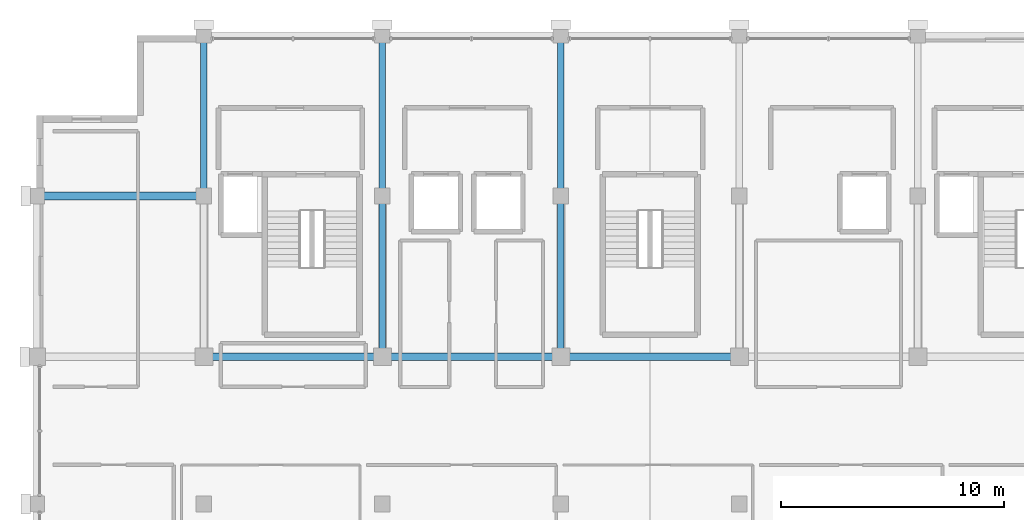
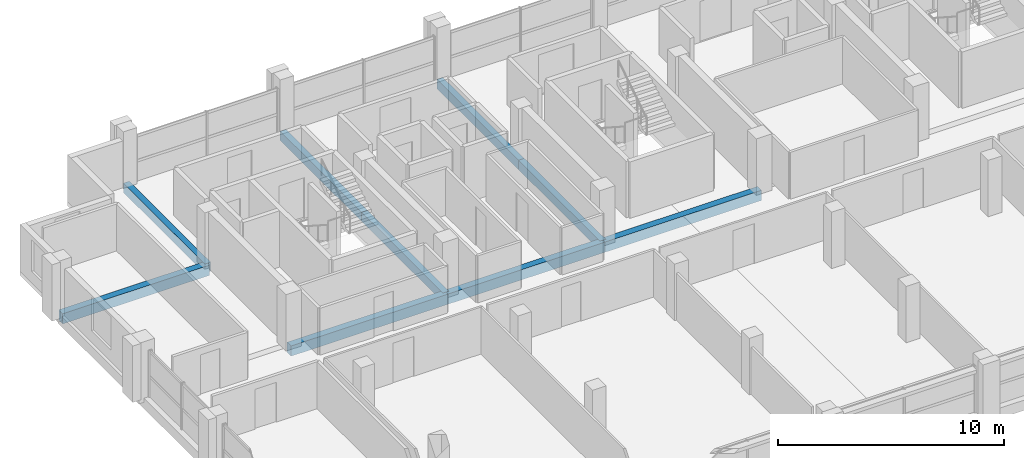
# One storey, part 8 of 24: 9 beams.
"""IFC4 building model written with IfcOpenShell, lengths in metres."""

from ifc_helpers import new_model, si_unit, direction, frame, origin, origin_2d, place, context, subcontext, project, spatial, rectangle, extrude, material, material_profile, profile_set, type_object, element, save


model = new_model("IFC4")

# Units and contexts
model_context = context("Model", 3, precision=1e-05, world=origin(), true_north=direction((0.0, 1.0)))
body_context = subcontext(model_context, "Body", "Model", "MODEL_VIEW")
ifc_project = project(units=[si_unit("LENGTHUNIT", "METRE"), si_unit("AREAUNIT", "SQUARE_METRE"), si_unit("VOLUMEUNIT", "CUBIC_METRE"), si_unit("PLANEANGLEUNIT", "RADIAN"), si_unit("MASSUNIT", "GRAM", prefix="KILO")], contexts=[model_context])

# Site, building, storey
site_placement = place(None, origin())
site = spatial("IfcSite", under=ifc_project, at=site_placement, CompositionType="ELEMENT")
building_placement = place(site_placement, origin())
building = spatial("IfcBuilding", under=site, at=building_placement, Name="Akrevak Sports Hall", CompositionType="ELEMENT")
storey_placement = place(building_placement, frame((0.0, 0.0, 56.800048828125)))
storey = spatial("IfcBuildingStorey", under=building, at=storey_placement, Name="L14", CompositionType="ELEMENT", Elevation=56.800048828125)

# Beams
ifc_material = material(Name="Concrete C40/50", Category="concrete")
ifc_material_profile_1 = material_profile(ifc_material, rectangle(XDim=0.300048828125, YDim=0.5, at=origin_2d()), Name="BM 300x500", Category="concrete")
ifc_profile_set_1 = profile_set([ifc_material_profile_1], Name="Concrete C40/50")
beam_type_1 = type_object("IfcBeamType", Name="STR-BM-RC300x500", PredefinedType="BEAM", material=ifc_profile_set_1)
beam_1_placement = place(storey_placement, frame((60.0, 62.39990234375, -0.25), z_axis=(0.0, 1.0, 0.0), x_axis=(-1.0, 0.0, 0.0)))
element("IfcBeam", 1, at=beam_1_placement, inside=storey, type_object=beam_type_1, Name="Girder 9/J-K (L14)", PredefinedType="BEAM", context=body_context, shape_type="SweptSolid", body=[
    extrude(rectangle(XDim=0.300048828125, YDim=0.5, at=origin_2d()), origin(), (0.0, 0.0, 1.0), 7.2001953125),
])
beam_2_placement = place(storey_placement, frame((68.0, 55.199951171875, -0.25), z_axis=(0.0, 1.0, 0.0), x_axis=(-1.0, 0.0, 0.0)))
element("IfcBeam", 2, at=beam_2_placement, inside=storey, type_object=beam_type_1, Name="Girder 10/I-J (L14)", PredefinedType="BEAM", context=body_context, shape_type="SweptSolid", body=[
    extrude(rectangle(XDim=0.300048828125, YDim=0.5, at=origin_2d()), origin(), (0.0, 0.0, 1.0), 7.199951171875),
])
beam_3_placement = place(storey_placement, frame((68.0, 62.39990234375, -0.25), z_axis=(0.0, 1.0, 0.0), x_axis=(-1.0, 0.0, 0.0)))
element("IfcBeam", 3, at=beam_3_placement, inside=storey, type_object=beam_type_1, Name="Girder 10/J-K (L14)", PredefinedType="BEAM", context=body_context, shape_type="SweptSolid", body=[
    extrude(rectangle(XDim=0.300048828125, YDim=0.5, at=origin_2d()), origin(), (0.0, 0.0, 1.0), 7.2001953125),
])
beam_4_placement = place(storey_placement, frame((76.0, 55.199951171875, -0.25), z_axis=(0.0, 1.0, 0.0), x_axis=(-1.0, 0.0, 0.0)))
element("IfcBeam", 4, at=beam_4_placement, inside=storey, type_object=beam_type_1, Name="Girder 11/I-J (L14)", PredefinedType="BEAM", context=body_context, shape_type="SweptSolid", body=[
    extrude(rectangle(XDim=0.300048828125, YDim=0.5, at=origin_2d()), origin(), (0.0, 0.0, 1.0), 7.199951171875),
])
beam_5_placement = place(storey_placement, frame((76.0, 62.39990234375, -0.25), z_axis=(0.0, 1.0, 0.0), x_axis=(-1.0, 0.0, 0.0)))
element("IfcBeam", 5, at=beam_5_placement, inside=storey, type_object=beam_type_1, Name="Girder 11/J-K (L14)", PredefinedType="BEAM", context=body_context, shape_type="SweptSolid", body=[
    extrude(rectangle(XDim=0.300048828125, YDim=0.5, at=origin_2d()), origin(), (0.0, 0.0, 1.0), 7.2001953125),
])
ifc_material_profile_2 = material_profile(ifc_material, rectangle(XDim=0.35009765625, YDim=0.550048828125, at=origin_2d()), Name="BM 350x550", Category="concrete")
ifc_profile_set_2 = profile_set([ifc_material_profile_2], Name="Concrete C40/50")
beam_type_2 = type_object("IfcBeamType", Name="STR-BM-RC350x550", PredefinedType="BEAM", material=ifc_profile_set_2)
for number, where, z_axis, x_axis, name in (
    (6, (60.0, 55.199951171875, -0.275146484375), (1.0, 0.0, 0.0), (0.0, 1.0, 0.0), "Girder I/9-10 (L14)"),
    (7, (68.0, 55.199951171875, -0.275146484375), (1.0, 0.0, 0.0), (0.0, 1.0, 0.0), "Girder I/10-11 (L14)"),
    (8, (76.0, 55.199951171875, -0.275146484375), (1.0, 0.0, 0.0), (0.0, 1.0, 0.0), "Girder I/11-12 (L14)"),
):
    element("IfcBeam", number, at=place(storey_placement, frame(where, z_axis=z_axis, x_axis=x_axis)), inside=storey, type_object=beam_type_2, Name=name, PredefinedType="BEAM", context=body_context, shape_type="SweptSolid", body=[
        extrude(rectangle(XDim=0.35009765625, YDim=0.550048828125, at=origin_2d()), origin(), (0.0, 0.0, 1.0), 8.0),
    ])
beam_6_placement = place(storey_placement, frame((52.5, 62.39990234375, -0.275146484375), z_axis=(1.0, 0.0, 0.0), x_axis=(0.0, 1.0, 0.0)))
element("IfcBeam", 9, at=beam_6_placement, inside=storey, type_object=beam_type_2, Name="Girder J/8-9 (L14)", PredefinedType="BEAM", context=body_context, shape_type="SweptSolid", body=[
    extrude(rectangle(XDim=0.35009765625, YDim=0.550048828125, at=origin_2d()), origin(), (0.0, 0.0, 1.0), 7.5),
])

save(model, "model.ifc")
